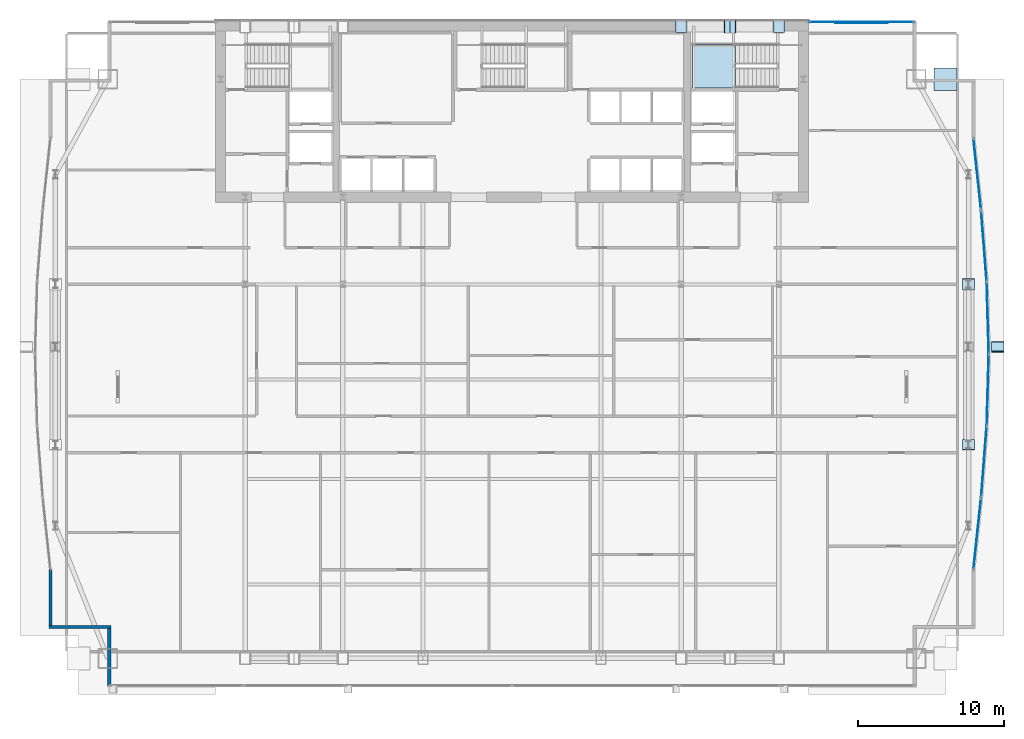
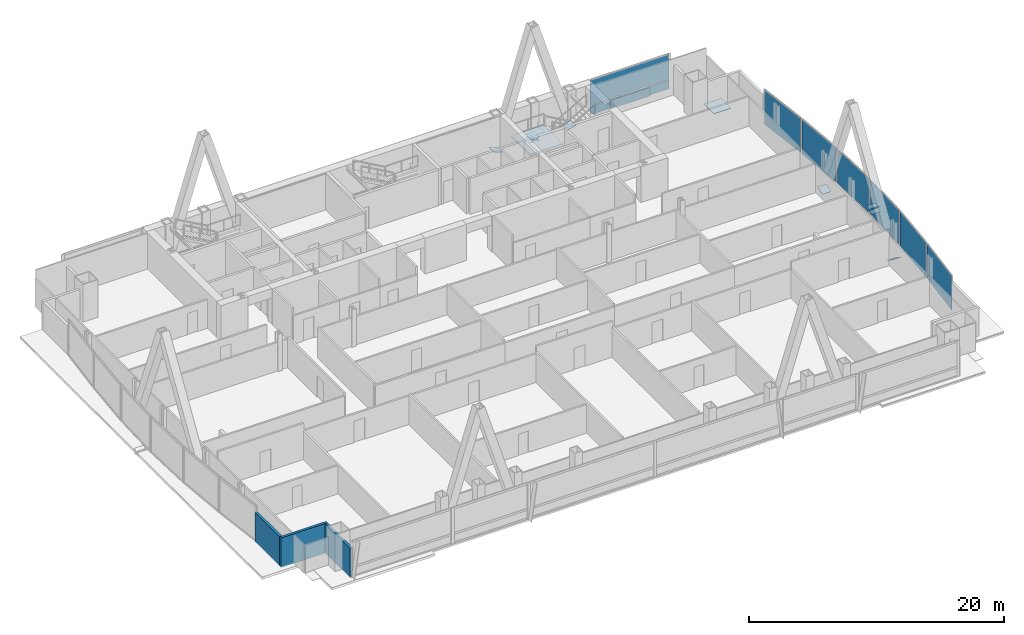
# One storey, part 24 of 30: 18 plates, 3 walls, 1 slab, 8 elements without a shape of their own.
"""IFC4 building model written with IfcOpenShell, lengths in metres."""

from ifc_helpers import new_model, si_unit, direction, frame, frame_2d, origin, origin_2d, place, context, subcontext, project, spatial, polyline, rectangle, outline, extrude, material, layer, layer_set, type_object, element, aggregate, save


model = new_model("IFC4")

# Units and contexts
model_context = context("Model", 3, precision=1e-05, world=origin(), true_north=direction((0.0, 1.0)))
body_context = subcontext(model_context, "Body", "Model", "MODEL_VIEW")
ifc_project = project(units=[si_unit("LENGTHUNIT", "METRE"), si_unit("AREAUNIT", "SQUARE_METRE"), si_unit("VOLUMEUNIT", "CUBIC_METRE"), si_unit("PLANEANGLEUNIT", "RADIAN"), si_unit("MASSUNIT", "GRAM", prefix="KILO")], contexts=[model_context])

# Site, building, storey
site_placement = place(None, origin())
site = spatial("IfcSite", under=ifc_project, at=site_placement, CompositionType="ELEMENT")
building_placement = place(site_placement, origin())
building = spatial("IfcBuilding", under=site, at=building_placement, Name="Khoronbel Lancet Exchange", CompositionType="ELEMENT")
storey_placement = place(building_placement, frame((0.0, 0.0, 136.199951171875)))
storey = spatial("IfcBuildingStorey", under=building, at=storey_placement, Name="L33", CompositionType="ELEMENT", Elevation=136.199951171875)

# Curtain wall, plate
ifc_material_1 = material(Name="Low-E Solar Control Insulating Glass", Category="glass")
curtain_wall_type_1 = type_object("IfcCurtainWallType", Name="CW-3", PredefinedType="NOTDEFINED", material=ifc_material_1)
curtain_wall_1_placement = place(storey_placement, origin())
curtain_wall_1 = element("IfcCurtainWall", 1, at=curtain_wall_1_placement, inside=storey, type_object=curtain_wall_type_1, Name="Unitised curtain wall CW-L33-NEFLK", PredefinedType="NOTDEFINED")
ifc_material_2 = material(Name="Bronze-Anodised Aluminium 6063-T6", Category="aluminium")
ifc_layer_1 = layer(ifc_material_2, 0.050048828125, Name="Bronze-Anodised Aluminium 6063-T6")
ifc_layer_set_1 = layer_set([ifc_layer_1], Name="Bronze-Anodised Aluminium 6063-T6")
plate_type_1 = type_object("IfcPlateType", Name="PLT-CSP1", PredefinedType="SHEET", material=ifc_layer_set_1)
plate_1_placement = place(storey_placement, frame((60.320068359375, 53.550048828125, 0.0498046875), z_axis=(0.0, 0.0, 1.0), x_axis=(-1.0, 0.0, 0.0)))
plate_1 = element("IfcPlate", 2, at=plate_1_placement, type_object=plate_type_1, Name="Insulated bronze spandrel cassette CW-L33-NEFLK", PredefinedType="SHEET", context=body_context, shape_type="SweptSolid", body=[
    extrude(rectangle(XDim=3.60009765625, YDim=0.050048828125, at=origin_2d()), origin(), (0.0, 0.0, 1.0), 0.800048828125),
])

curtain_wall_type_2 = type_object("IfcCurtainWallType", Name="CW-4", PredefinedType="NOTDEFINED", material=ifc_material_1)
curtain_wall_2_placement = place(storey_placement, origin())
curtain_wall_2 = element("IfcCurtainWall", 3, at=curtain_wall_2_placement, inside=storey, type_object=curtain_wall_type_2, Name="Unitised curtain wall CW-L33-E18", PredefinedType="NOTDEFINED")
plate_2_placement = place(storey_placement, frame((68.677490234375, 38.318359375, 0.0849609375), z_axis=(0.0, 0.0, 1.0), x_axis=(0.077920756627, -0.996959555693, 0.0)))
plate_2 = element("IfcPlate", 4, at=plate_2_placement, type_object=plate_type_1, Name="CW4 panel 1.1", PredefinedType="CURTAIN_PANEL", context=body_context, shape_type="SweptSolid", body=[
    extrude(rectangle(XDim=4.778076171875, YDim=0.0380859375, at=origin_2d()), origin(), (0.0, 0.0, 1.0), 3.27001953125),
])
aggregate(curtain_wall_2, [plate_2])

curtain_wall_3_placement = place(storey_placement, origin())
curtain_wall_3 = element("IfcCurtainWall", 5, at=curtain_wall_3_placement, inside=storey, type_object=curtain_wall_type_2, Name="Unitised curtain wall CW-L33-E19", PredefinedType="NOTDEFINED")
plate_3_placement = place(storey_placement, frame((68.939697265625, 33.406005859375, 0.0849609375), z_axis=(0.0, 0.0, 1.0), x_axis=(0.028612641702, -0.999590574553, 0.0)))
plate_3 = element("IfcPlate", 6, at=plate_3_placement, type_object=plate_type_1, Name="CW4 panel 1.1", PredefinedType="CURTAIN_PANEL", context=body_context, shape_type="SweptSolid", body=[
    extrude(rectangle(XDim=4.763916015625, YDim=0.0380859375, at=origin_2d()), origin(), (0.0, 0.0, 1.0), 3.27001953125),
])
aggregate(curtain_wall_3, [plate_3])

curtain_wall_4_placement = place(storey_placement, origin())
curtain_wall_4 = element("IfcCurtainWall", 7, at=curtain_wall_4_placement, inside=storey, type_object=curtain_wall_type_2, Name="Unitised curtain wall CW-L33-E20", PredefinedType="NOTDEFINED")
plate_4_placement = place(storey_placement, frame((68.939697265625, 28.494140625, 0.0849609375), z_axis=(0.0, 0.0, 1.0), x_axis=(-0.028612641702, -0.999590574553, 0.0)))
plate_4 = element("IfcPlate", 8, at=plate_4_placement, type_object=plate_type_1, Name="CW4 panel 1.1", PredefinedType="CURTAIN_PANEL", context=body_context, shape_type="SweptSolid", body=[
    extrude(rectangle(XDim=4.763916015625, YDim=0.0380859375, at=origin_2d()), origin(), (0.0, 0.0, 1.0), 3.27001953125),
])
aggregate(curtain_wall_4, [plate_4])

curtain_wall_5_placement = place(storey_placement, origin())
curtain_wall_5 = element("IfcCurtainWall", 9, at=curtain_wall_5_placement, inside=storey, type_object=curtain_wall_type_2, Name="Unitised curtain wall CW-L33-E21", PredefinedType="NOTDEFINED")
plate_5_placement = place(storey_placement, frame((68.677490234375, 23.58154296875, 0.0849609375), z_axis=(0.0, 0.0, 1.0), x_axis=(-0.077920756627, -0.996959555693, 0.0)))
plate_5 = element("IfcPlate", 10, at=plate_5_placement, type_object=plate_type_1, Name="CW4 panel 1.1", PredefinedType="CURTAIN_PANEL", context=body_context, shape_type="SweptSolid", body=[
    extrude(rectangle(XDim=4.778076171875, YDim=0.0380859375, at=origin_2d()), origin(), (0.0, 0.0, 1.0), 3.27001953125),
])
aggregate(curtain_wall_5, [plate_5])

# Plate
ifc_layer_2 = layer(ifc_material_1, 0.035888671875, Name="Low-E Solar Control Insulating Glass")
ifc_layer_set_2 = layer_set([ifc_layer_2], Name="Low-E Solar Control Insulating Glass")
plate_type_2 = type_object("IfcPlateType", Name="PLT-CWP1", PredefinedType="CURTAIN_PANEL", material=ifc_layer_set_2)
plate_6_placement = place(storey_placement, frame((60.320068359375, 53.610107421875, 0.0849609375), z_axis=(0.0, 0.0, 1.0), x_axis=(-1.0, 0.0, 0.0)))
plate_6 = element("IfcPlate", 11, at=plate_6_placement, type_object=plate_type_2, Name="CW3 panel 1.1", PredefinedType="CURTAIN_PANEL", context=body_context, shape_type="SweptSolid", body=[
    extrude(rectangle(XDim=7.110107421875, YDim=0.0380859375, at=origin_2d()), origin(), (0.0, 0.0, 1.0), 0.822509765625),
])

plate_7_placement = place(storey_placement, frame((60.320068359375, 53.610107421875, 0.99267578125), z_axis=(0.0, 0.0, 1.0), x_axis=(-1.0, 0.0, 0.0)))
plate_7 = element("IfcPlate", 12, at=plate_7_placement, type_object=plate_type_2, Name="CW3 panel 1.2", PredefinedType="CURTAIN_PANEL", context=body_context, shape_type="SweptSolid", body=[
    extrude(rectangle(XDim=7.110107421875, YDim=0.0380859375, at=origin_2d()), origin(), (0.0, 0.0, 1.0), 2.362548828125),
])

aggregate(curtain_wall_1, [plate_6, plate_7, plate_1])

# Curtain wall, plate
curtain_wall_6_placement = place(storey_placement, origin())
curtain_wall_6 = element("IfcCurtainWall", 13, at=curtain_wall_6_placement, inside=storey, type_object=curtain_wall_type_2, Name="Unitised curtain wall CW-L33-E17", PredefinedType="NOTDEFINED")
ifc_material_3 = material(Name="Ceramic-Fritted Laminated Insulating Glass", Category="glass")
ifc_layer_3 = layer(ifc_material_3, 0.0419921875, Name="Ceramic-Fritted Laminated Insulating Glass")
ifc_layer_set_3 = layer_set([ifc_layer_3], Name="Ceramic-Fritted Laminated Insulating Glass")
plate_type_3 = type_object("IfcPlateType", Name="PLT-CWP2", PredefinedType="CURTAIN_PANEL", material=ifc_layer_set_3)
plate_8_placement = place(storey_placement, frame((68.22265625, 43.235107421875, 0.0849609375), z_axis=(0.0, 0.0, 1.0), x_axis=(0.106180610586, -0.994346859972, 0.0)))
plate_8 = element("IfcPlate", 14, at=plate_8_placement, type_object=plate_type_3, Name="CW4 panel 1.1", PredefinedType="CURTAIN_PANEL", context=body_context, shape_type="SweptSolid", body=[
    extrude(rectangle(XDim=4.798095703125, YDim=0.0380859375, at=origin_2d()), origin(), (0.0, 0.0, 1.0), 3.27001953125),
])
aggregate(curtain_wall_6, [plate_8])

curtain_wall_7_placement = place(storey_placement, origin())
curtain_wall_7 = element("IfcCurtainWall", 15, at=curtain_wall_7_placement, inside=storey, type_object=curtain_wall_type_2, Name="Unitised curtain wall CW-L33-E22", PredefinedType="NOTDEFINED")
plate_9_placement = place(storey_placement, frame((68.22265625, 18.664794921875, 0.0849609375), z_axis=(0.0, 0.0, 1.0), x_axis=(-0.106180610586, -0.994346859972, 0.0)))
plate_9 = element("IfcPlate", 16, at=plate_9_placement, type_object=plate_type_3, Name="CW4 panel 1.1", PredefinedType="CURTAIN_PANEL", context=body_context, shape_type="SweptSolid", body=[
    extrude(rectangle(XDim=4.798095703125, YDim=0.0380859375, at=origin_2d()), origin(), (0.0, 0.0, 1.0), 3.27001953125),
])
aggregate(curtain_wall_7, [plate_9])

# Plates
ifc_material_4 = material(Name="Steel S460", Category="steel")
ifc_layer_4 = layer(ifc_material_4, 0.044921875, Name="Steel S460")
ifc_layer_set_4 = layer_set([ifc_layer_4], Name="Steel S460")
plate_type_4 = type_object("IfcPlateType", Name="PLT-ECP1", PredefinedType="USERDEFINED", material=ifc_layer_set_4)
plate_10_placement = place(storey_placement, frame((0.0, 0.0, -0.011962890625)))
element("IfcPlate", 17, at=plate_10_placement, inside=storey, type_object=plate_type_4, Name="Hollow end cap plate PLT-CAP-COL-L32-MC-NE-TOP", ObjectType="STIFFENER_PLATE", PredefinedType="USERDEFINED", context=body_context, shape_type="SweptSolid", body=[
    extrude(outline(polyline([(65.27001953125, 48.919921875), (66.830078125, 48.919921875), (66.830078125, 50.47998046875), (65.27001953125, 50.47998046875), (65.27001953125, 48.919921875)])), origin(), (0.0, 0.0, 1.0), 0.044921875),
])
plate_11_placement = place(storey_placement, frame((51.732421875, 52.860107421875, -0.146728515625), z_axis=(0.420513526922, 0.0, 0.907286268867), x_axis=(0.0, 1.0, 0.0)))
element("IfcPlate", 18, at=plate_11_placement, inside=storey, type_object=plate_type_4, Name="Hollow end cap plate PLT-CAP-MEM-MB-T10-N-E-L-1", ObjectType="STIFFENER_PLATE", PredefinedType="USERDEFINED", context=body_context, shape_type="SweptSolid", body=[
    extrude(outline(polyline([(0.0, 0.0), (0.83984375, 0.0), (0.83984375, 0.840087890625), (0.0, 0.840087890625), (0.0, 0.0)])), origin(), (0.0, 0.0, -1.0), 0.044921875),
])
plate_12_placement = place(storey_placement, frame((50.942626953125, 53.699951171875, -0.146728515625), z_axis=(-0.420624428562, 0.0, 0.907234859393), x_axis=(0.0, -1.0, 0.0)))
element("IfcPlate", 19, at=plate_12_placement, inside=storey, type_object=plate_type_4, Name="Hollow end cap plate PLT-CAP-MEM-MB-T10-N-E-R-1", ObjectType="STIFFENER_PLATE", PredefinedType="USERDEFINED", context=body_context, shape_type="SweptSolid", body=[
    extrude(outline(polyline([(0.0, 0.0), (0.83984375, 0.0), (0.83984375, 0.83984375), (0.0, 0.83984375), (0.0, 0.0)])), origin(), (0.0, 0.0, -1.0), 0.044921875),
])
for number, where, z_axis, x_axis, name in (
    (20, (70.050048828125, 31.75537109375, -0.26123046875), (0.0, 0.679859996774, 0.73334192897), (-1.0, 0.0, 0.0), "Hollow end cap plate PLT-CAP-MEM-MB-T10-E-P-L-1"),
    (21, (69.2099609375, 31.047119140625, -0.18603515625), (0.0, -0.510686489136, 0.859767009029), (1.0, 0.0, 0.0), "Hollow end cap plate PLT-CAP-MEM-MB-T10-E-P-R-1"),
):
    element("IfcPlate", number, at=place(storey_placement, frame(where, z_axis=z_axis, x_axis=x_axis)), inside=storey, type_object=plate_type_4, Name=name, ObjectType="STIFFENER_PLATE", PredefinedType="USERDEFINED", context=body_context, shape_type="SweptSolid", body=[
        extrude(outline(polyline([(0.0, 0.0), (0.840087890625, 0.0), (0.840087890625, 0.83984375), (0.0, 0.83984375), (0.0, 0.0)])), origin(), (0.0, 0.0, -1.0), 0.044921875),
    ])
for number, where, z_axis, x_axis, name in (
    (22, (48.3857421875, 52.8798828125, -0.106689453125), (0.295372103756, 0.0, 0.955382290145), (0.0, 1.0, 0.0), "Hollow end cap plate PLT-CAP-MEM-MB-T11-N-E-L-0"),
    (23, (54.289306640625, 53.679931640625, -0.106689453125), (-0.295372103756, 0.0, 0.955382290145), (0.0, -1.0, 0.0), "Hollow end cap plate PLT-CAP-MEM-MB-T11-N-E-R-0"),
    (24, (68.030029296875, 25.0966796875, -0.199951171875), (0.0, 0.525492880722, 0.850797997359), (-1.0, 0.0, 0.0), "Hollow end cap plate PLT-CAP-MEM-MB-T11-E-P-L-0"),
    (25, (67.22998046875, 35.32373046875, -0.135986328125), (0.0, -0.368020969419, 0.92981749073), (1.0, 0.0, 0.0), "Hollow end cap plate PLT-CAP-MEM-MB-T11-E-P-R-0"),
):
    element("IfcPlate", number, at=place(storey_placement, frame(where, z_axis=z_axis, x_axis=x_axis)), inside=storey, type_object=plate_type_4, Name=name, ObjectType="STIFFENER_PLATE", PredefinedType="USERDEFINED", context=body_context, shape_type="SweptSolid", body=[
        extrude(outline(polyline([(0.0, 0.0), (0.800048828125, 0.0), (0.800048828125, 0.800048828125), (0.0, 0.800048828125), (0.0, 0.0)])), origin(), (0.0, 0.0, -1.0), 0.044921875),
    ])

# Stair, slab
ifc_material_5 = material(Name="Concrete C40/50", Category="concrete")
stair_type = type_object("IfcStairType", Name="STR-CORE150", PredefinedType="HALF_TURN_STAIR", material=ifc_material_5)
stair_placement = place(storey_placement, origin())
stair = element("IfcStair", 26, at=stair_placement, inside=storey, type_object=stair_type, Name="L33 Protected Exit Stair ST2", PredefinedType="HALF_TURN_STAIR")
ifc_layer_5 = layer(ifc_material_5, 0.199951171875, Name="Concrete C40/50")
ifc_layer_set_5 = layer_set([ifc_layer_5], Name="Concrete C40/50")
slab_type = type_object("IfcSlabType", Name="SL-LND180", PredefinedType="LANDING", material=ifc_layer_set_5)
slab_placement = place(storey_placement, frame((0.0, 0.0, 1.60009765625)))
slab = element("IfcSlab", 27, at=slab_placement, type_object=slab_type, Name="ST2 landing 1", PredefinedType="LANDING", context=body_context, shape_type="SweptSolid", body=[
    extrude(outline(polyline([(51.699951171875, 52.10009765625), (48.75, 52.10009765625), (48.75, 49.1201171875), (51.699951171875, 49.1201171875), (51.699951171875, 52.10009765625)])), origin(), (0.0, 0.0, 1.0), 0.199951171875),
])
aggregate(stair, [slab])

# Walls
ifc_material_6 = material(Name="Precast concrete C40/50", Category="concrete")
ifc_layer_6 = layer(ifc_material_6, 0.25, Name="Precast concrete C40/50")
ifc_layer_set_6 = layer_set([ifc_layer_6], Name="Precast concrete C40/50")
wall_type = type_object("IfcWallType", Name="WL-EXT250", PredefinedType="SOLIDWALL", material=ifc_layer_set_6)
wall_1_placement = place(storey_placement, frame((8.93994140625, 8.27001953125, 0.0), z_axis=(0.0, 0.0, 1.0), x_axis=(0.0, 1.0, 0.0)))
element("IfcWall", 28, at=wall_1_placement, inside=storey, type_object=wall_type, Name="Level L33 notched-corner limestone pier 01", PredefinedType="SOLIDWALL", context=body_context, shape_type="SweptSolid", body=[
    extrude(rectangle(XDim=3.909912109375, YDim=0.219970703125, at=frame_2d((1.955078125, 0.0))), origin(), (0.0, 0.0, 1.0), 2.830078125),
])
wall_2_placement = place(storey_placement, frame((9.050048828125, 12.2900390625, 0.0), z_axis=(0.0, 0.0, 1.0), x_axis=(-1.0, 0.0, 0.0)))
element("IfcWall", 29, at=wall_2_placement, inside=storey, type_object=wall_type, Name="Level L33 notched-corner limestone pier 02", PredefinedType="SOLIDWALL", context=body_context, shape_type="SweptSolid", body=[
    extrude(rectangle(XDim=4.219970703125, YDim=0.219970703125, at=frame_2d((2.10986328125, 0.0))), origin(), (0.0, 0.0, 1.0), 2.830078125),
])
wall_3_placement = place(storey_placement, frame((4.93994140625, 12.39990234375, 0.0), z_axis=(0.0, 0.0, 1.0), x_axis=(0.0, 1.0, 0.0)))
element("IfcWall", 30, at=wall_3_placement, inside=storey, type_object=wall_type, Name="Level L33 notched-corner limestone pier 03", PredefinedType="SOLIDWALL", context=body_context, shape_type="SweptSolid", body=[
    extrude(rectangle(XDim=3.824951171875, YDim=0.219970703125, at=frame_2d((1.91259765625, 0.0))), origin(), (0.0, 0.0, 1.0), 2.830078125),
])

save(model, "model.ifc")
